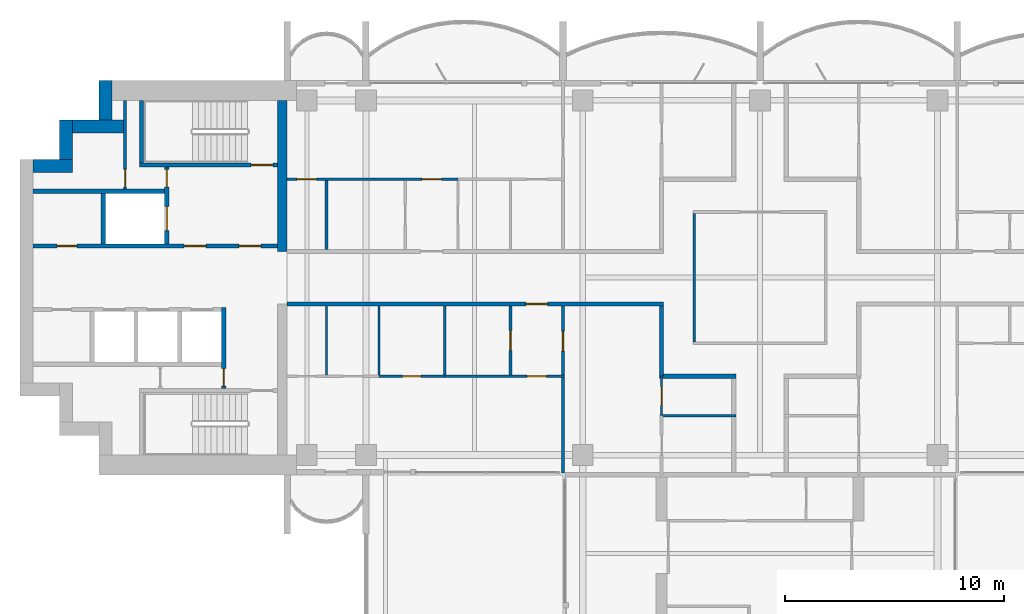
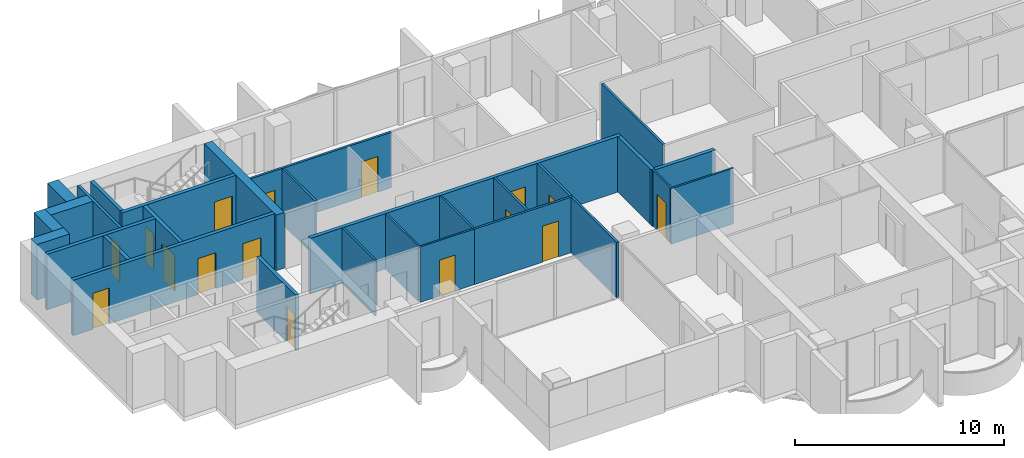
# One storey, part 9 of 17: 28 walls, 16 doors, 16 openings.
"""IFC4 building model written with IfcOpenShell, lengths in metres."""

from ifc_helpers import new_model, si_unit, direction, frame, frame_2d, origin, place, context, subcontext, project, spatial, rectangle, extrude, material, layer, layer_set, type_object, element, fill, save


model = new_model("IFC4")

# Units and contexts
model_context = context("Model", 3, precision=1e-05, world=origin(), true_north=direction((0.0, 1.0)))
body_context = subcontext(model_context, "Body", "Model", "MODEL_VIEW")
ifc_project = project(units=[si_unit("LENGTHUNIT", "METRE"), si_unit("AREAUNIT", "SQUARE_METRE"), si_unit("VOLUMEUNIT", "CUBIC_METRE"), si_unit("PLANEANGLEUNIT", "RADIAN"), si_unit("MASSUNIT", "GRAM", prefix="KILO")], contexts=[model_context])

# Site, building, storey
site_placement = place(None, origin())
site = spatial("IfcSite", under=ifc_project, at=site_placement, CompositionType="ELEMENT")
building_placement = place(site_placement, origin())
building = spatial("IfcBuilding", under=site, at=building_placement, Name="Perihelion Cross Residences", CompositionType="ELEMENT")
storey_placement = place(building_placement, frame((0.0, 0.0, 194.60009765625)))
storey = spatial("IfcBuildingStorey", under=building, at=storey_placement, Name="L48", CompositionType="ELEMENT", Elevation=194.60009765625)

# Wall, opening, door
ifc_material_1 = material(Name="Plasterboard partition")
ifc_layer_1 = layer(ifc_material_1, 0.199951171875)
ifc_layer_set_1 = layer_set([ifc_layer_1], Name="Apartment separation wall 200")
wall_type_1 = type_object("IfcWallType", Name="Apartment separation wall 200", PredefinedType="PARTITIONING", material=ifc_layer_set_1)
wall_1_placement = place(storey_placement, frame((-4.39990234375, -1.199951171875, 0.0), z_axis=(0.0, 0.0, 1.0), x_axis=(-1.0, 0.0, 0.0)))
wall_1 = element("IfcWall", 1, at=wall_1_placement, inside=storey, type_object=wall_type_1, Name="Partition L48 W017", PredefinedType="PARTITIONING", context=body_context, shape_type="SweptSolid", body=[
    extrude(rectangle(XDim=17.2001953125, YDim=0.199951171875, at=frame_2d((8.60009765625, 0.0))), origin(), (0.0, 0.0, 1.0), 3.25),
])
opening_1_placement = place(wall_1_placement, frame((5.300048828125, 0.0, 0.0)))
opening_1 = element("IfcOpeningElement", 2, at=opening_1_placement, cuts=wall_1, Name="Opening L48.A41", PredefinedType="OPENING", context=body_context, shape_type="SweptSolid", body=[
    extrude(rectangle(XDim=1.0, YDim=2.10009765625, at=frame_2d((0.5, 1.050048828125))), frame((0.0, 0.10986328125, 0.0), z_axis=(0.0, -1.0, 0.0), x_axis=(1.0, 0.0, 0.0)), (0.0, 0.0, 1.0), 0.219970703125),
])
ifc_material_2 = material(Name="Timber door leaf", Category="wood")
door_type_1 = type_object("IfcDoorType", Name="Flat entrance door 1000 x 2100", OperationType="SINGLE_SWING_LEFT", PredefinedType="DOOR", material=ifc_material_2)
door_1_placement = place(opening_1_placement, origin())
door_1 = element("IfcDoor", 3, at=door_1_placement, inside=storey, type_object=door_type_1, Name="Door L48.A41", OperationType="SINGLE_SWING_RIGHT", OverallHeight=2.10009765625, OverallWidth=1.0, PredefinedType="DOOR", context=body_context, shape_type="SweptSolid", body=[
    extrude(rectangle(XDim=1.0, YDim=2.10009765625, at=frame_2d((0.5, 1.050048828125))), frame((0.0, 0.02490234375, 0.0), z_axis=(0.0, -1.0, 0.0), x_axis=(1.0, 0.0, 0.0)), (0.0, 0.0, 1.0), 0.050048828125),
])
fill(opening_1, door_1)

# Walls
wall_2_placement = place(storey_placement, frame((-4.5, -4.5, 0.0), z_axis=(0.0, 0.0, 1.0), x_axis=(0.0, 1.0, 0.0)))
element("IfcWall", 4, at=wall_2_placement, inside=storey, type_object=wall_type_1, Name="Partition L48 W018", PredefinedType="PARTITIONING", context=body_context, shape_type="SweptSolid", body=[
    extrude(rectangle(XDim=3.199951171875, YDim=0.199951171875, at=frame_2d((1.60009765625, 0.0))), origin(), (0.0, 0.0, 1.0), 3.25),
])
wall_3_placement = place(storey_placement, frame((-1.10009765625, -4.5, 0.0), z_axis=(0.0, 0.0, 1.0), x_axis=(-1.0, 0.0, 0.0)))
element("IfcWall", 5, at=wall_3_placement, inside=storey, type_object=wall_type_1, Name="Partition L48 W020", PredefinedType="PARTITIONING", context=body_context, shape_type="SweptSolid", body=[
    extrude(rectangle(XDim=3.5, YDim=0.199951171875, at=frame_2d((1.75, 0.0))), origin(), (0.0, 0.0, 1.0), 3.25),
])
ifc_material_3 = material(Name="Concrete C60/75", Category="concrete")
ifc_layer_2 = layer(ifc_material_3, 0.449951171875)
ifc_layer_set_2 = layer_set([ifc_layer_2], Name="Core wall, inner 450")
wall_type_2 = type_object("IfcWallType", Name="Core wall, inner 450", PredefinedType="SHEAR", material=ifc_layer_set_2)
wall_4_placement = place(storey_placement, frame((-21.824951171875, 1.199951171875, 0.0), z_axis=(0.0, 0.0, 1.0), x_axis=(0.0, 1.0, 0.0)))
element("IfcWall", 6, at=wall_4_placement, inside=storey, type_object=wall_type_2, Name="West core core wall, inner", PredefinedType="SHEAR", context=body_context, shape_type="SweptSolid", body=[
    extrude(rectangle(XDim=6.900146484375, YDim=0.449951171875, at=frame_2d((3.4501953125, 0.0))), origin(), (0.0, 0.0, 1.0), 3.25),
])
ifc_material_4 = material(Name="Concrete C60/75", Category="concrete")
ifc_layer_3 = layer(ifc_material_4, 0.60009765625)
ifc_layer_set_3 = layer_set([ifc_layer_3], Name="Core wall, outer 600")
wall_type_3 = type_object("IfcWallType", Name="Core wall, outer 600", PredefinedType="SHEAR", material=ifc_layer_set_3)
for number, where, z_axis, x_axis, name in (
    (7, (-33.199951171875, 5.10009765625, 0.0), (0.0, 0.0, 1.0), (1.0, 0.0, 0.0), "West core core wall, outer"),
    (8, (-31.699951171875, 5.39990234375, 0.0), (0.0, 0.0, 1.0), (0.0, 1.0, 0.0), "West core core wall, outer"),
):
    element("IfcWall", number, at=place(storey_placement, frame(where, z_axis=z_axis, x_axis=x_axis)), inside=storey, type_object=wall_type_3, Name=name, PredefinedType="SHEAR", context=body_context, shape_type="SweptSolid", body=[
        extrude(rectangle(XDim=1.800048828125, YDim=0.60009765625, at=frame_2d((0.89990234375, 0.0))), origin(), (0.0, 0.0, 1.0), 3.25),
    ])
wall_5_placement = place(storey_placement, frame((-31.39990234375, 6.89990234375, 0.0), z_axis=(0.0, 0.0, 1.0), x_axis=(1.0, 0.0, 0.0)))
element("IfcWall", 9, at=wall_5_placement, inside=storey, type_object=wall_type_3, Name="West core core wall, outer", PredefinedType="SHEAR", context=body_context, shape_type="SweptSolid", body=[
    extrude(rectangle(XDim=2.324951171875, YDim=0.60009765625, at=frame_2d((1.16259765625, 0.0))), origin(), (0.0, 0.0, 1.0), 3.25),
])
wall_6_placement = place(storey_placement, frame((-29.89990234375, 7.199951171875, 0.0), z_axis=(0.0, 0.0, 1.0), x_axis=(0.0, 1.0, 0.0)))
element("IfcWall", 10, at=wall_6_placement, inside=storey, type_object=wall_type_3, Name="West core core wall, outer", PredefinedType="SHEAR", context=body_context, shape_type="SweptSolid", body=[
    extrude(rectangle(XDim=1.800048828125, YDim=0.60009765625, at=frame_2d((0.89990234375, 0.0))), origin(), (0.0, 0.0, 1.0), 3.25),
])

# Wall, opening, door
ifc_material_5 = material(Name="Concrete C50/60", Category="concrete")
ifc_layer_4 = layer(ifc_material_5, 0.199951171875)
ifc_layer_set_4 = layer_set([ifc_layer_4], Name="Lobby wall 200")
wall_type_4 = type_object("IfcWallType", Name="Lobby wall 200", PredefinedType="SOLIDWALL", material=ifc_layer_set_4)
wall_7_placement = place(storey_placement, frame((-24.5, -5.050048828125, 0.0), z_axis=(0.0, 0.0, 1.0), x_axis=(0.0, 1.0, 0.0)))
wall_7 = element("IfcWall", 11, at=wall_7_placement, inside=storey, type_object=wall_type_4, Name="West core lobby wall", PredefinedType="SOLIDWALL", context=body_context, shape_type="SweptSolid", body=[
    extrude(rectangle(XDim=3.699951171875, YDim=0.199951171875, at=frame_2d((1.85009765625, 0.0))), origin(), (0.0, 0.0, 1.0), 3.25),
])
opening_2_placement = place(wall_7_placement, frame((0.10009765625, 0.0, 0.0)))
opening_2 = element("IfcOpeningElement", 12, at=opening_2_placement, cuts=wall_7, Name="Opening L48.C22", PredefinedType="OPENING", context=body_context, shape_type="SweptSolid", body=[
    extrude(rectangle(XDim=0.800048828125, YDim=2.10009765625, at=frame_2d((0.39990234375, 1.050048828125))), frame((0.0, 0.10986328125, 0.0), z_axis=(0.0, -1.0, 0.0), x_axis=(1.0, 0.0, 0.0)), (0.0, 0.0, 1.0), 0.219970703125),
])
ifc_material_6 = material(Name="Steel, powder coated", Category="steel")
door_type_2 = type_object("IfcDoorType", Name="Riser door 800", OperationType="SINGLE_SWING_LEFT", PredefinedType="DOOR", material=ifc_material_6)
door_2_placement = place(opening_2_placement, origin())
door_2 = element("IfcDoor", 13, at=door_2_placement, inside=storey, type_object=door_type_2, Name="West core riser door", OperationType="SINGLE_SWING_LEFT", OverallHeight=2.10009765625, OverallWidth=0.800048828125, PredefinedType="DOOR", context=body_context, shape_type="SweptSolid", body=[
    extrude(rectangle(XDim=0.800048828125, YDim=2.10009765625, at=frame_2d((0.39990234375, 1.050048828125))), frame((0.0, 0.02490234375, 0.0), z_axis=(0.0, -1.0, 0.0), x_axis=(1.0, 0.0, 0.0)), (0.0, 0.0, 1.0), 0.050048828125),
])
fill(opening_2, door_2)

# Wall
ifc_material_7 = material(Name="Plasterboard partition")
ifc_layer_5 = layer(ifc_material_7, 0.1201171875)
ifc_layer_set_5 = layer_set([ifc_layer_5], Name="Partition wall 120")
wall_type_5 = type_object("IfcWallType", Name="Partition wall 120", PredefinedType="PARTITIONING", material=ifc_layer_set_5)
wall_8_placement = place(storey_placement, frame((-3.0, 2.93994140625, 0.0), z_axis=(0.0, 0.0, 1.0), x_axis=(0.0, -1.0, 0.0)))
element("IfcWall", 14, at=wall_8_placement, inside=storey, type_object=wall_type_5, Name="Partition L48 W004", PredefinedType="PARTITIONING", context=body_context, shape_type="SweptSolid", body=[
    extrude(rectangle(XDim=5.8798828125, YDim=0.1201171875, at=frame_2d((2.93994140625, 0.0))), origin(), (0.0, 0.0, 1.0), 3.25),
])

# Wall, openings, doors
wall_9_placement = place(storey_placement, frame((-21.60009765625, 4.5, 0.0), z_axis=(0.0, 0.0, 1.0), x_axis=(1.0, 0.0, 0.0)))
wall_9 = element("IfcWall", 15, at=wall_9_placement, inside=storey, type_object=wall_type_5, Name="Partition L48 W049", PredefinedType="PARTITIONING", context=body_context, shape_type="SweptSolid", body=[
    extrude(rectangle(XDim=7.800048828125, YDim=0.1201171875, at=frame_2d((3.89990234375, 0.0))), origin(), (0.0, 0.0, 1.0), 3.25),
])
opening_3_placement = place(wall_9_placement, frame((0.449951171875, 0.0, 0.0)))
opening_3 = element("IfcOpeningElement", 16, at=opening_3_placement, cuts=wall_9, Name="Opening L48.A20", PredefinedType="OPENING", context=body_context, shape_type="SweptSolid", body=[
    extrude(rectangle(XDim=0.89990234375, YDim=2.10009765625, at=frame_2d((0.449951171875, 1.050048828125))), frame((0.0, 0.070068359375, 0.0), z_axis=(0.0, -1.0, 0.0), x_axis=(1.0, 0.0, 0.0)), (0.0, 0.0, 1.0), 0.14013671875),
])
opening_4_placement = place(wall_9_placement, frame((6.14990234375, 0.0, 0.0)))
opening_4 = element("IfcOpeningElement", 17, at=opening_4_placement, cuts=wall_9, Name="Opening L48.A21", PredefinedType="OPENING", context=body_context, shape_type="SweptSolid", body=[
    extrude(rectangle(XDim=0.89990234375, YDim=2.10009765625, at=frame_2d((0.449951171875, 1.050048828125))), frame((0.0, 0.070068359375, 0.0), z_axis=(0.0, -1.0, 0.0), x_axis=(1.0, 0.0, 0.0)), (0.0, 0.0, 1.0), 0.14013671875),
])
ifc_material_8 = material(Name="Timber door leaf", Category="wood")
door_type_3 = type_object("IfcDoorType", Name="Interior room door 900 x 2100", OperationType="SINGLE_SWING_LEFT", PredefinedType="DOOR", material=ifc_material_8)
door_3_placement = place(opening_3_placement, origin())
door_3 = element("IfcDoor", 18, at=door_3_placement, inside=storey, type_object=door_type_3, Name="Door L48.A20", OperationType="SINGLE_SWING_RIGHT", OverallHeight=2.10009765625, OverallWidth=0.89990234375, PredefinedType="DOOR", context=body_context, shape_type="SweptSolid", body=[
    extrude(rectangle(XDim=0.89990234375, YDim=2.10009765625, at=frame_2d((0.449951171875, 1.050048828125))), frame((0.0, 0.02490234375, 0.0), z_axis=(0.0, -1.0, 0.0), x_axis=(1.0, 0.0, 0.0)), (0.0, 0.0, 1.0), 0.050048828125),
])
fill(opening_3, door_3)
door_4_placement = place(opening_4_placement, origin())
door_4 = element("IfcDoor", 19, at=door_4_placement, inside=storey, type_object=door_type_3, Name="Door L48.A21", OperationType="SINGLE_SWING_LEFT", OverallHeight=2.10009765625, OverallWidth=0.89990234375, PredefinedType="DOOR", context=body_context, shape_type="SweptSolid", body=[
    extrude(rectangle(XDim=0.89990234375, YDim=2.10009765625, at=frame_2d((0.449951171875, 1.050048828125))), frame((0.0, 0.02490234375, 0.0), z_axis=(0.0, -1.0, 0.0), x_axis=(1.0, 0.0, 0.0)), (0.0, 0.0, 1.0), 0.050048828125),
])
fill(opening_4, door_4)

# Wall
wall_10_placement = place(storey_placement, frame((-19.800048828125, 1.300048828125, 0.0), z_axis=(0.0, 0.0, 1.0), x_axis=(0.0, 1.0, 0.0)))
element("IfcWall", 20, at=wall_10_placement, inside=storey, type_object=wall_type_5, Name="Partition L48 W050", PredefinedType="PARTITIONING", context=body_context, shape_type="SweptSolid", body=[
    extrude(rectangle(XDim=3.139892578125, YDim=0.1201171875, at=frame_2d((1.56982421875, 0.0))), origin(), (0.0, 0.0, 1.0), 3.25),
])

# Wall, opening, door
wall_11_placement = place(storey_placement, frame((-11.39990234375, -4.43994140625, 0.0), z_axis=(0.0, 0.0, 1.0), x_axis=(0.0, 1.0, 0.0)))
wall_11 = element("IfcWall", 21, at=wall_11_placement, inside=storey, type_object=wall_type_5, Name="Partition L48 W052", PredefinedType="PARTITIONING", context=body_context, shape_type="SweptSolid", body=[
    extrude(rectangle(XDim=3.139892578125, YDim=0.1201171875, at=frame_2d((1.56982421875, 0.0))), origin(), (0.0, 0.0, 1.0), 3.25),
])
opening_5_placement = place(wall_11_placement, frame((1.1201171875, 0.0, 0.0)))
opening_5 = element("IfcOpeningElement", 22, at=opening_5_placement, cuts=wall_11, Name="Opening L48.A25", PredefinedType="OPENING", context=body_context, shape_type="SweptSolid", body=[
    extrude(rectangle(XDim=0.89990234375, YDim=2.10009765625, at=frame_2d((0.449951171875, 1.050048828125))), frame((0.0, 0.070068359375, 0.0), z_axis=(0.0, -1.0, 0.0), x_axis=(1.0, 0.0, 0.0)), (0.0, 0.0, 1.0), 0.14013671875),
])
door_5_placement = place(opening_5_placement, origin())
door_5 = element("IfcDoor", 23, at=door_5_placement, inside=storey, type_object=door_type_3, Name="Door L48.A25", OperationType="SINGLE_SWING_RIGHT", OverallHeight=2.10009765625, OverallWidth=0.89990234375, PredefinedType="DOOR", context=body_context, shape_type="SweptSolid", body=[
    extrude(rectangle(XDim=0.89990234375, YDim=2.10009765625, at=frame_2d((0.449951171875, 1.050048828125))), frame((0.0, 0.02490234375, 0.0), z_axis=(0.0, -1.0, 0.0), x_axis=(1.0, 0.0, 0.0)), (0.0, 0.0, 1.0), 0.050048828125),
])
fill(opening_5, door_5)

wall_12_placement = place(storey_placement, frame((-8.93994140625, -4.5, 0.0), z_axis=(0.0, 0.0, 1.0), x_axis=(-1.0, 0.0, 0.0)))
wall_12 = element("IfcWall", 24, at=wall_12_placement, inside=storey, type_object=wall_type_5, Name="Partition L48 W053", PredefinedType="PARTITIONING", context=body_context, shape_type="SweptSolid", body=[
    extrude(rectangle(XDim=5.4599609375, YDim=0.1201171875, at=frame_2d((2.72998046875, 0.0))), origin(), (0.0, 0.0, 1.0), 3.25),
])
opening_6_placement = place(wall_12_placement, frame((0.81005859375, 0.0, 0.0)))
opening_6 = element("IfcOpeningElement", 25, at=opening_6_placement, cuts=wall_12, Name="Opening L48.A30", PredefinedType="OPENING", context=body_context, shape_type="SweptSolid", body=[
    extrude(rectangle(XDim=0.89990234375, YDim=2.10009765625, at=frame_2d((0.449951171875, 1.050048828125))), frame((0.0, 0.070068359375, 0.0), z_axis=(0.0, -1.0, 0.0), x_axis=(1.0, 0.0, 0.0)), (0.0, 0.0, 1.0), 0.14013671875),
])
door_6_placement = place(opening_6_placement, origin())
door_6 = element("IfcDoor", 26, at=door_6_placement, inside=storey, type_object=door_type_3, Name="Door L48.A30", OperationType="SINGLE_SWING_RIGHT", OverallHeight=2.10009765625, OverallWidth=0.89990234375, PredefinedType="DOOR", context=body_context, shape_type="SweptSolid", body=[
    extrude(rectangle(XDim=0.89990234375, YDim=2.10009765625, at=frame_2d((0.449951171875, 1.050048828125))), frame((0.0, 0.02490234375, 0.0), z_axis=(0.0, -1.0, 0.0), x_axis=(1.0, 0.0, 0.0)), (0.0, 0.0, 1.0), 0.050048828125),
])
fill(opening_6, door_6)

wall_13_placement = place(storey_placement, frame((-9.0, -1.300048828125, 0.0), z_axis=(0.0, 0.0, 1.0), x_axis=(0.0, -1.0, 0.0)))
wall_13 = element("IfcWall", 27, at=wall_13_placement, inside=storey, type_object=wall_type_5, Name="Partition L48 W054", PredefinedType="PARTITIONING", context=body_context, shape_type="SweptSolid", body=[
    extrude(rectangle(XDim=7.619873046875, YDim=0.1201171875, at=frame_2d((3.81005859375, 0.0))), origin(), (0.0, 0.0, 1.0), 3.25),
])
opening_7_placement = place(wall_13_placement, frame((1.14990234375, 0.0, 0.0)))
opening_7 = element("IfcOpeningElement", 28, at=opening_7_placement, cuts=wall_13, Name="Opening L48.A26", PredefinedType="OPENING", context=body_context, shape_type="SweptSolid", body=[
    extrude(rectangle(XDim=0.89990234375, YDim=2.10009765625, at=frame_2d((0.449951171875, 1.050048828125))), frame((0.0, 0.070068359375, 0.0), z_axis=(0.0, -1.0, 0.0), x_axis=(1.0, 0.0, 0.0)), (0.0, 0.0, 1.0), 0.14013671875),
])
door_7_placement = place(opening_7_placement, origin())
door_7 = element("IfcDoor", 29, at=door_7_placement, inside=storey, type_object=door_type_3, Name="Door L48.A26", OperationType="SINGLE_SWING_RIGHT", OverallHeight=2.10009765625, OverallWidth=0.89990234375, PredefinedType="DOOR", context=body_context, shape_type="SweptSolid", body=[
    extrude(rectangle(XDim=0.89990234375, YDim=2.10009765625, at=frame_2d((0.449951171875, 1.050048828125))), frame((0.0, 0.02490234375, 0.0), z_axis=(0.0, -1.0, 0.0), x_axis=(1.0, 0.0, 0.0)), (0.0, 0.0, 1.0), 0.050048828125),
])
fill(opening_7, door_7)

ifc_material_9 = material(Name="Fire-rated board on steel stud", Category="steel")
ifc_layer_6 = layer(ifc_material_9, 0.14990234375)
ifc_layer_set_6 = layer_set([ifc_layer_6], Name="Riser wall 150")
wall_type_6 = type_object("IfcWallType", Name="Riser wall 150", PredefinedType="PARTITIONING", material=ifc_layer_set_6)
wall_14_placement = place(storey_placement, frame((-29.0, 4.050048828125, 0.0), z_axis=(0.0, 0.0, 1.0), x_axis=(0.0, 1.0, 0.0)))
wall_14 = element("IfcWall", 30, at=wall_14_placement, inside=storey, type_object=wall_type_6, Name="West core riser wall", PredefinedType="PARTITIONING", context=body_context, shape_type="SweptSolid", body=[
    extrude(rectangle(XDim=4.050048828125, YDim=0.14990234375, at=frame_2d((2.02490234375, 0.0))), origin(), (0.0, 0.0, 1.0), 3.25),
])
opening_8_placement = place(wall_14_placement, frame((0.10009765625, 0.0, 0.0)))
opening_8 = element("IfcOpeningElement", 31, at=opening_8_placement, cuts=wall_14, Name="Opening L48.C26", PredefinedType="OPENING", context=body_context, shape_type="SweptSolid", body=[
    extrude(rectangle(XDim=0.800048828125, YDim=2.10009765625, at=frame_2d((0.39990234375, 1.050048828125))), frame((0.0, 0.0849609375, 0.0), z_axis=(0.0, -1.0, 0.0), x_axis=(1.0, 0.0, 0.0)), (0.0, 0.0, 1.0), 0.169921875),
])
door_8_placement = place(opening_8_placement, origin())
door_8 = element("IfcDoor", 32, at=door_8_placement, inside=storey, type_object=door_type_2, Name="West core riser door", OperationType="SINGLE_SWING_LEFT", OverallHeight=2.10009765625, OverallWidth=0.800048828125, PredefinedType="DOOR", context=body_context, shape_type="SweptSolid", body=[
    extrude(rectangle(XDim=0.800048828125, YDim=2.10009765625, at=frame_2d((0.39990234375, 1.050048828125))), frame((0.0, 0.02490234375, 0.0), z_axis=(0.0, -1.0, 0.0), x_axis=(1.0, 0.0, 0.0)), (0.0, 0.0, 1.0), 0.050048828125),
])
fill(opening_8, door_8)

# Wall, openings, doors
ifc_material_10 = material(Name="Concrete C50/60", Category="concrete")
ifc_layer_7 = layer(ifc_material_10, 0.199951171875)
ifc_layer_set_7 = layer_set([ifc_layer_7], Name="Shaft wall 200")
wall_type_7 = type_object("IfcWallType", Name="Shaft wall 200", PredefinedType="SOLIDWALL", material=ifc_layer_set_7)
wall_15_placement = place(storey_placement, frame((-33.199951171875, 1.449951171875, 0.0), z_axis=(0.0, 0.0, 1.0), x_axis=(1.0, 0.0, 0.0)))
wall_15 = element("IfcWall", 33, at=wall_15_placement, inside=storey, type_object=wall_type_7, Name="West core shaft wall", PredefinedType="SOLIDWALL", context=body_context, shape_type="SweptSolid", body=[
    extrude(rectangle(XDim=11.14990234375, YDim=0.199951171875, at=frame_2d((5.574951171875, 0.0))), origin(), (0.0, 0.0, 1.0), 3.25),
])
opening_9_placement = place(wall_15_placement, frame((9.39990234375, 0.0, 0.0)))
opening_9 = element("IfcOpeningElement", 34, at=opening_9_placement, cuts=wall_15, Name="Opening L48.C21", PredefinedType="OPENING", context=body_context, shape_type="SweptSolid", body=[
    extrude(rectangle(XDim=1.0, YDim=2.10009765625, at=frame_2d((0.5, 1.050048828125))), frame((0.0, 0.10986328125, 0.0), z_axis=(0.0, -1.0, 0.0), x_axis=(1.0, 0.0, 0.0)), (0.0, 0.0, 1.0), 0.219970703125),
])
opening_10_placement = place(wall_15_placement, frame((6.89990234375, 0.0, 0.0)))
opening_10 = element("IfcOpeningElement", 35, at=opening_10_placement, cuts=wall_15, Name="Opening L48.C23", PredefinedType="OPENING", context=body_context, shape_type="SweptSolid", body=[
    extrude(rectangle(XDim=1.0, YDim=2.10009765625, at=frame_2d((0.5, 1.050048828125))), frame((0.0, 0.10986328125, 0.0), z_axis=(0.0, -1.0, 0.0), x_axis=(1.0, 0.0, 0.0)), (0.0, 0.0, 1.0), 0.219970703125),
])
opening_11_placement = place(wall_15_placement, frame((1.10009765625, 0.0, 0.0)))
opening_11 = element("IfcOpeningElement", 36, at=opening_11_placement, cuts=wall_15, Name="Opening L48.C27", PredefinedType="OPENING", context=body_context, shape_type="SweptSolid", body=[
    extrude(rectangle(XDim=0.89990234375, YDim=2.10009765625, at=frame_2d((0.449951171875, 1.050048828125))), frame((0.0, 0.10986328125, 0.0), z_axis=(0.0, -1.0, 0.0), x_axis=(1.0, 0.0, 0.0)), (0.0, 0.0, 1.0), 0.219970703125),
])
ifc_material_11 = material(Name="Steel, powder coated", Category="steel")
door_type_4 = type_object("IfcDoorType", Name="Lobby door 1000", OperationType="SINGLE_SWING_LEFT", PredefinedType="DOOR", material=ifc_material_11)
door_9_placement = place(opening_9_placement, origin())
door_9 = element("IfcDoor", 37, at=door_9_placement, inside=storey, type_object=door_type_4, Name="West core firefighting lobby door", OperationType="SINGLE_SWING_LEFT", OverallHeight=2.10009765625, OverallWidth=1.0, PredefinedType="DOOR", context=body_context, shape_type="SweptSolid", body=[
    extrude(rectangle(XDim=1.0, YDim=2.10009765625, at=frame_2d((0.5, 1.050048828125))), frame((0.0, 0.02490234375, 0.0), z_axis=(0.0, -1.0, 0.0), x_axis=(1.0, 0.0, 0.0)), (0.0, 0.0, 1.0), 0.050048828125),
])
fill(opening_9, door_9)
door_10_placement = place(opening_10_placement, origin())
door_10 = element("IfcDoor", 38, at=door_10_placement, inside=storey, type_object=door_type_4, Name="West core firefighting lobby door", OperationType="SINGLE_SWING_LEFT", OverallHeight=2.10009765625, OverallWidth=1.0, PredefinedType="DOOR", context=body_context, shape_type="SweptSolid", body=[
    extrude(rectangle(XDim=1.0, YDim=2.10009765625, at=frame_2d((0.5, 1.050048828125))), frame((0.0, 0.02490234375, 0.0), z_axis=(0.0, -1.0, 0.0), x_axis=(1.0, 0.0, 0.0)), (0.0, 0.0, 1.0), 0.050048828125),
])
fill(opening_10, door_10)
ifc_material_12 = material(Name="Steel, powder coated", Category="steel")
door_type_5 = type_object("IfcDoorType", Name="Service room door 900", OperationType="SINGLE_SWING_LEFT", PredefinedType="DOOR", material=ifc_material_12)
door_11_placement = place(opening_11_placement, origin())
door_11 = element("IfcDoor", 39, at=door_11_placement, inside=storey, type_object=door_type_5, Name="West core service room door", OperationType="SINGLE_SWING_LEFT", OverallHeight=2.10009765625, OverallWidth=0.89990234375, PredefinedType="DOOR", context=body_context, shape_type="SweptSolid", body=[
    extrude(rectangle(XDim=0.89990234375, YDim=2.10009765625, at=frame_2d((0.449951171875, 1.050048828125))), frame((0.0, 0.02490234375, 0.0), z_axis=(0.0, -1.0, 0.0), x_axis=(1.0, 0.0, 0.0)), (0.0, 0.0, 1.0), 0.050048828125),
])
fill(opening_11, door_11)

# Wall
wall_16_placement = place(storey_placement, frame((-33.199951171875, 3.949951171875, 0.0), z_axis=(0.0, 0.0, 1.0), x_axis=(1.0, 0.0, 0.0)))
element("IfcWall", 40, at=wall_16_placement, inside=storey, type_object=wall_type_7, Name="West core shaft wall", PredefinedType="SOLIDWALL", context=body_context, shape_type="SweptSolid", body=[
    extrude(rectangle(XDim=6.0, YDim=0.199951171875, at=frame_2d((3.0, 0.0))), origin(), (0.0, 0.0, 1.0), 3.25),
])

# Wall, openings, doors
wall_17_placement = place(storey_placement, frame((-27.10009765625, 1.550048828125, 0.0), z_axis=(0.0, 0.0, 1.0), x_axis=(0.0, 1.0, 0.0)))
wall_17 = element("IfcWall", 41, at=wall_17_placement, inside=storey, type_object=wall_type_7, Name="West core shaft wall", PredefinedType="SOLIDWALL", context=body_context, shape_type="SweptSolid", body=[
    extrude(rectangle(XDim=3.5, YDim=0.199951171875, at=frame_2d((1.75, 0.0))), origin(), (0.0, 0.0, 1.0), 3.25),
])
opening_12_placement = place(wall_17_placement, frame((0.60009765625, 0.0, 0.0)))
opening_12 = element("IfcOpeningElement", 42, at=opening_12_placement, cuts=wall_17, Name="Opening L48.C16", PredefinedType="OPENING", context=body_context, shape_type="SweptSolid", body=[
    extrude(rectangle(XDim=1.10009765625, YDim=2.10009765625, at=frame_2d((0.550048828125, 1.050048828125))), frame((0.0, 0.10986328125, 0.0), z_axis=(0.0, -1.0, 0.0), x_axis=(1.0, 0.0, 0.0)), (0.0, 0.0, 1.0), 0.219970703125),
])
opening_13_placement = place(wall_17_placement, frame((2.60009765625, 0.0, 0.0)))
opening_13 = element("IfcOpeningElement", 43, at=opening_13_placement, cuts=wall_17, Name="Opening L48.C24", PredefinedType="OPENING", context=body_context, shape_type="SweptSolid", body=[
    extrude(rectangle(XDim=0.800048828125, YDim=2.10009765625, at=frame_2d((0.39990234375, 1.050048828125))), frame((0.0, 0.10986328125, 0.0), z_axis=(0.0, -1.0, 0.0), x_axis=(1.0, 0.0, 0.0)), (0.0, 0.0, 1.0), 0.219970703125),
])
ifc_material_13 = material(Name="Stainless steel", Category="steel")
door_type_6 = type_object("IfcDoorType", Name="Landing door, firefighting lift 1100", OperationType="DOUBLE_DOOR_SLIDING", PredefinedType="DOOR", material=ifc_material_13)
door_12_placement = place(opening_12_placement, origin())
door_12 = element("IfcDoor", 44, at=door_12_placement, inside=storey, type_object=door_type_6, Name="Landing door, West core firefighting and service lift", OperationType="DOUBLE_DOOR_SLIDING", OverallHeight=2.10009765625, OverallWidth=1.10009765625, PredefinedType="DOOR", context=body_context, shape_type="SweptSolid", body=[
    extrude(rectangle(XDim=1.10009765625, YDim=2.10009765625, at=frame_2d((0.550048828125, 1.050048828125))), frame((0.0, 0.02490234375, 0.0), z_axis=(0.0, -1.0, 0.0), x_axis=(1.0, 0.0, 0.0)), (0.0, 0.0, 1.0), 0.050048828125),
])
fill(opening_12, door_12)
door_13_placement = place(opening_13_placement, origin())
door_13 = element("IfcDoor", 45, at=door_13_placement, inside=storey, type_object=door_type_2, Name="West core riser door", OperationType="SINGLE_SWING_LEFT", OverallHeight=2.10009765625, OverallWidth=0.800048828125, PredefinedType="DOOR", context=body_context, shape_type="SweptSolid", body=[
    extrude(rectangle(XDim=0.800048828125, YDim=2.10009765625, at=frame_2d((0.39990234375, 1.050048828125))), frame((0.0, 0.02490234375, 0.0), z_axis=(0.0, -1.0, 0.0), x_axis=(1.0, 0.0, 0.0)), (0.0, 0.0, 1.0), 0.050048828125),
])
fill(opening_13, door_13)

# Wall
wall_18_placement = place(storey_placement, frame((-30.0, 1.550048828125, 0.0), z_axis=(0.0, 0.0, 1.0), x_axis=(0.0, 1.0, 0.0)))
element("IfcWall", 46, at=wall_18_placement, inside=storey, type_object=wall_type_7, Name="West core shaft wall", PredefinedType="SOLIDWALL", context=body_context, shape_type="SweptSolid", body=[
    extrude(rectangle(XDim=2.300048828125, YDim=0.199951171875, at=frame_2d((1.14990234375, 0.0))), origin(), (0.0, 0.0, 1.0), 3.25),
])

# Wall, opening, door
ifc_material_14 = material(Name="Concrete C50/60", Category="concrete")
ifc_layer_8 = layer(ifc_material_14, 0.199951171875)
ifc_layer_set_8 = layer_set([ifc_layer_8], Name="Stair wall 200")
wall_type_8 = type_object("IfcWallType", Name="Stair wall 200", PredefinedType="SOLIDWALL", material=ifc_layer_set_8)
wall_19_placement = place(storey_placement, frame((-28.35009765625, 5.14990234375, 0.0), z_axis=(0.0, 0.0, 1.0), x_axis=(1.0, 0.0, 0.0)))
wall_19 = element("IfcWall", 47, at=wall_19_placement, inside=storey, type_object=wall_type_8, Name="West core stair wall", PredefinedType="SOLIDWALL", context=body_context, shape_type="SweptSolid", body=[
    extrude(rectangle(XDim=6.300048828125, YDim=0.199951171875, at=frame_2d((3.14990234375, 0.0))), origin(), (0.0, 0.0, 1.0), 3.25),
])
opening_14_placement = place(wall_19_placement, frame((5.10009765625, 0.0, 0.0)))
opening_14 = element("IfcOpeningElement", 48, at=opening_14_placement, cuts=wall_19, Name="Opening L48.C20", PredefinedType="OPENING", context=body_context, shape_type="SweptSolid", body=[
    extrude(rectangle(XDim=1.0, YDim=2.10009765625, at=frame_2d((0.5, 1.050048828125))), frame((0.0, 0.10986328125, 0.0), z_axis=(0.0, -1.0, 0.0), x_axis=(1.0, 0.0, 0.0)), (0.0, 0.0, 1.0), 0.219970703125),
])
ifc_material_15 = material(Name="Steel, powder coated", Category="steel")
door_type_7 = type_object("IfcDoorType", Name="Stair door 1000", OperationType="SINGLE_SWING_LEFT", PredefinedType="DOOR", material=ifc_material_15)
door_14_placement = place(opening_14_placement, origin())
door_14 = element("IfcDoor", 49, at=door_14_placement, inside=storey, type_object=door_type_7, Name="West core stair door", OperationType="SINGLE_SWING_LEFT", OverallHeight=2.10009765625, OverallWidth=1.0, PredefinedType="DOOR", context=body_context, shape_type="SweptSolid", body=[
    extrude(rectangle(XDim=1.0, YDim=2.10009765625, at=frame_2d((0.5, 1.050048828125))), frame((0.0, 0.02490234375, 0.0), z_axis=(0.0, -1.0, 0.0), x_axis=(1.0, 0.0, 0.0)), (0.0, 0.0, 1.0), 0.050048828125),
])
fill(opening_14, door_14)

# Walls
wall_20_placement = place(storey_placement, frame((-28.25, 5.25, 0.0), z_axis=(0.0, 0.0, 1.0), x_axis=(0.0, 1.0, 0.0)))
element("IfcWall", 50, at=wall_20_placement, inside=storey, type_object=wall_type_8, Name="West core stair wall", PredefinedType="SOLIDWALL", context=body_context, shape_type="SweptSolid", body=[
    extrude(rectangle(XDim=2.85009765625, YDim=0.199951171875, at=frame_2d((1.425048828125, 0.0))), origin(), (0.0, 0.0, 1.0), 3.25),
])
ifc_material_16 = material(Name="Plasterboard partition")
ifc_layer_9 = layer(ifc_material_16, 0.10009765625)
ifc_layer_set_9 = layer_set([ifc_layer_9], Name="Wet room wall 100")
wall_type_9 = type_object("IfcWallType", Name="Wet room wall 100", PredefinedType="PARTITIONING", material=ifc_layer_set_9)
for number, where, z_axis, x_axis, name in (
    (51, (-14.39990234375, -4.43994140625, 0.0), (0.0, 0.0, 1.0), (0.0, 1.0, 0.0), "Partition L48 W055"),
    (52, (-17.39990234375, -4.43994140625, 0.0), (0.0, 0.0, 1.0), (0.0, 1.0, 0.0), "Partition L48 W056"),
):
    element("IfcWall", number, at=place(storey_placement, frame(where, z_axis=z_axis, x_axis=x_axis)), inside=storey, type_object=wall_type_9, Name=name, PredefinedType="PARTITIONING", context=body_context, shape_type="SweptSolid", body=[
        extrude(rectangle(XDim=3.139892578125, YDim=0.10009765625, at=frame_2d((1.56982421875, 0.0))), origin(), (0.0, 0.0, 1.0), 3.25),
    ])

# Wall, opening, door
wall_21_placement = place(storey_placement, frame((-14.39990234375, -4.5, 0.0), z_axis=(0.0, 0.0, 1.0), x_axis=(-1.0, 0.0, 0.0)))
wall_21 = element("IfcWall", 53, at=wall_21_placement, inside=storey, type_object=wall_type_9, Name="Partition L48 W057", PredefinedType="PARTITIONING", context=body_context, shape_type="SweptSolid", body=[
    extrude(rectangle(XDim=3.0, YDim=0.10009765625, at=frame_2d((1.5, 0.0))), origin(), (0.0, 0.0, 1.0), 3.25),
])
opening_15_placement = place(wall_21_placement, frame((1.074951171875, 0.0, 0.0)))
opening_15 = element("IfcOpeningElement", 54, at=opening_15_placement, cuts=wall_21, Name="Opening L48.A24", PredefinedType="OPENING", context=body_context, shape_type="SweptSolid", body=[
    extrude(rectangle(XDim=0.85009765625, YDim=2.10009765625, at=frame_2d((0.425048828125, 1.050048828125))), frame((0.0, 0.06005859375, 0.0), z_axis=(0.0, -1.0, 0.0), x_axis=(1.0, 0.0, 0.0)), (0.0, 0.0, 1.0), 0.1201171875),
])
ifc_material_17 = material(Name="Timber door leaf", Category="wood")
door_type_8 = type_object("IfcDoorType", Name="Interior bathroom door 850 x 2100", OperationType="SINGLE_SWING_LEFT", PredefinedType="DOOR", material=ifc_material_17)
door_15_placement = place(opening_15_placement, origin())
door_15 = element("IfcDoor", 55, at=door_15_placement, inside=storey, type_object=door_type_8, Name="Door L48.A24", OperationType="SINGLE_SWING_LEFT", OverallHeight=2.10009765625, OverallWidth=0.85009765625, PredefinedType="DOOR", context=body_context, shape_type="SweptSolid", body=[
    extrude(rectangle(XDim=0.85009765625, YDim=2.10009765625, at=frame_2d((0.425048828125, 1.050048828125))), frame((0.0, 0.02490234375, 0.0), z_axis=(0.0, -1.0, 0.0), x_axis=(1.0, 0.0, 0.0)), (0.0, 0.0, 1.0), 0.050048828125),
])
fill(opening_15, door_15)

# Wall
wall_22_placement = place(storey_placement, frame((-19.800048828125, -4.43994140625, 0.0), z_axis=(0.0, 0.0, 1.0), x_axis=(0.0, 1.0, 0.0)))
element("IfcWall", 56, at=wall_22_placement, inside=storey, type_object=wall_type_9, Name="Partition L48 W058", PredefinedType="PARTITIONING", context=body_context, shape_type="SweptSolid", body=[
    extrude(rectangle(XDim=3.139892578125, YDim=0.10009765625, at=frame_2d((1.56982421875, 0.0))), origin(), (0.0, 0.0, 1.0), 3.25),
])

# Wall, opening, door
wall_23_placement = place(storey_placement, frame((-4.5, -4.5, 0.0), z_axis=(0.0, 0.0, 1.0), x_axis=(0.0, -1.0, 0.0)))
wall_23 = element("IfcWall", 57, at=wall_23_placement, inside=storey, type_object=wall_type_9, Name="Partition L48 W061", PredefinedType="PARTITIONING", context=body_context, shape_type="SweptSolid", body=[
    extrude(rectangle(XDim=1.800048828125, YDim=0.10009765625, at=frame_2d((0.89990234375, 0.0))), origin(), (0.0, 0.0, 1.0), 3.25),
])
opening_16_placement = place(wall_23_placement, frame((0.47509765625, 0.0, 0.0)))
opening_16 = element("IfcOpeningElement", 58, at=opening_16_placement, cuts=wall_23, Name="Opening L48.A28", PredefinedType="OPENING", context=body_context, shape_type="SweptSolid", body=[
    extrude(rectangle(XDim=0.85009765625, YDim=2.10009765625, at=frame_2d((0.425048828125, 1.050048828125))), frame((0.0, 0.06005859375, 0.0), z_axis=(0.0, -1.0, 0.0), x_axis=(1.0, 0.0, 0.0)), (0.0, 0.0, 1.0), 0.1201171875),
])
door_16_placement = place(opening_16_placement, origin())
door_16 = element("IfcDoor", 59, at=door_16_placement, inside=storey, type_object=door_type_8, Name="Door L48.A28", OperationType="SINGLE_SWING_RIGHT", OverallHeight=2.10009765625, OverallWidth=0.85009765625, PredefinedType="DOOR", context=body_context, shape_type="SweptSolid", body=[
    extrude(rectangle(XDim=0.85009765625, YDim=2.10009765625, at=frame_2d((0.425048828125, 1.050048828125))), frame((0.0, 0.02490234375, 0.0), z_axis=(0.0, -1.0, 0.0), x_axis=(1.0, 0.0, 0.0)), (0.0, 0.0, 1.0), 0.050048828125),
])
fill(opening_16, door_16)

# Wall
wall_24_placement = place(storey_placement, frame((-1.10009765625, -6.300048828125, 0.0), z_axis=(0.0, 0.0, 1.0), x_axis=(-1.0, 0.0, 0.0)))
element("IfcWall", 60, at=wall_24_placement, inside=storey, type_object=wall_type_9, Name="Partition L48 W063", PredefinedType="PARTITIONING", context=body_context, shape_type="SweptSolid", body=[
    extrude(rectangle(XDim=3.4599609375, YDim=0.10009765625, at=frame_2d((1.72998046875, 0.0))), origin(), (0.0, 0.0, 1.0), 3.25),
])

save(model, "model.ifc")
